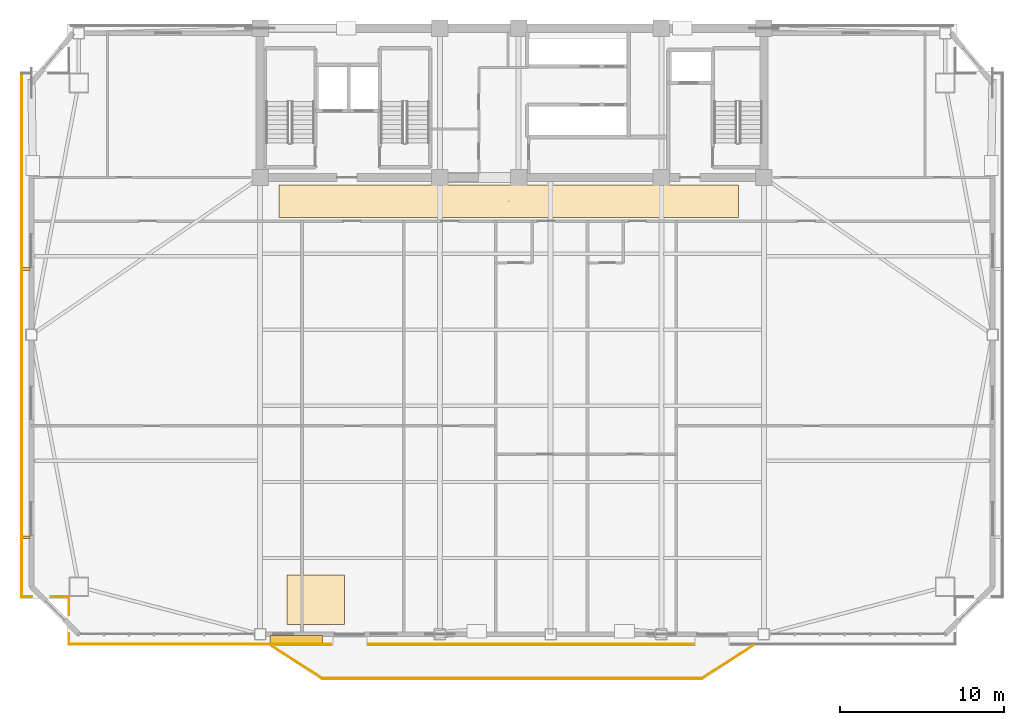
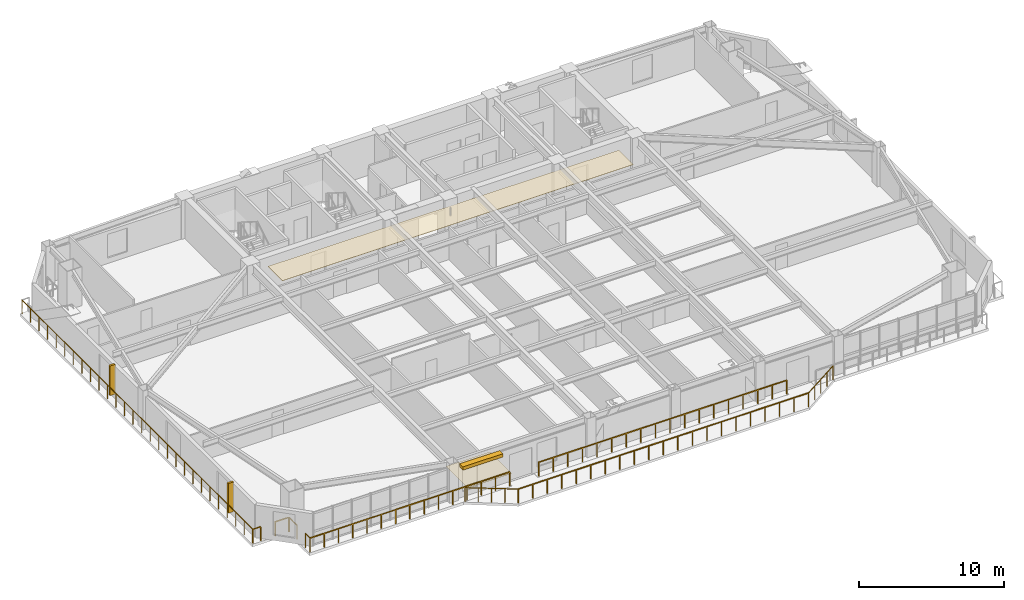
# One storey, part 12 of 15: 10 railings, 3 shading devices, 2 coverings.
"""IFC4 building model written with IfcOpenShell, lengths in metres."""

from ifc_helpers import new_model, si_unit, direction, frame, origin, origin_2d, place, context, subcontext, project, spatial, polyline, rectangle, outline, extrude, source, transform, mapped, material, layer, layer_set, type_object, element, save


model = new_model("IFC4")

# Units and contexts
model_context = context("Model", 3, precision=1e-05, world=origin(), true_north=direction((0.0, 1.0)))
body_context = subcontext(model_context, "Body", "Model", "MODEL_VIEW")
ifc_project = project(units=[si_unit("LENGTHUNIT", "METRE"), si_unit("AREAUNIT", "SQUARE_METRE"), si_unit("VOLUMEUNIT", "CUBIC_METRE"), si_unit("PLANEANGLEUNIT", "RADIAN"), si_unit("MASSUNIT", "GRAM", prefix="KILO")], contexts=[model_context])

# Site, building, storey
site_placement = place(None, origin())
site = spatial("IfcSite", under=ifc_project, at=site_placement, CompositionType="ELEMENT")
building_placement = place(site_placement, origin())
building = spatial("IfcBuilding", under=site, at=building_placement, Name="Giltprow Tower", CompositionType="ELEMENT")
storey_placement = place(building_placement, frame((0.0, 0.0, 170.199951171875)))
storey = spatial("IfcBuildingStorey", under=building, at=storey_placement, Name="L42", CompositionType="ELEMENT", Elevation=170.199951171875)

# Coverings
ifc_material_1 = material(Name="Painted gypsum board", Category="gypsum")
ifc_layer_1 = layer(ifc_material_1, 0.030029296875, Name="Painted gypsum board")
ifc_layer_set_1 = layer_set([ifc_layer_1], Name="Painted gypsum board")
covering_type_1 = type_object("IfcCoveringType", Name="COV-CLG-GYPSUM", PredefinedType="CEILING", material=ifc_layer_set_1)
covering_1_placement = place(storey_placement, frame((0.0, 0.0, 2.6201171875)))
element("IfcCovering", 1, at=covering_1_placement, inside=storey, type_object=covering_type_1, Name="L42 Hotel Corridor Gypsum Ceiling", PredefinedType="CEILING", context=body_context, shape_type="SweptSolid", body=[
    extrude(outline(polyline([(21.0, 35.0), (49.0, 35.0), (49.0, 37.0), (21.0, 37.0), (21.0, 35.0)])), origin(), (0.0, 0.0, 1.0), 0.030029296875),
])
ifc_material_2 = material(Name="Engineered oak", Category="wood")
ifc_layer_2 = layer(ifc_material_2, 0.02490234375, Name="Engineered oak")
ifc_layer_set_2 = layer_set([ifc_layer_2], Name="Engineered oak")
covering_type_2 = type_object("IfcCoveringType", Name="COV-FLR-TIMBER", PredefinedType="FLOORING", material=ifc_layer_set_2)
covering_2_placement = place(storey_placement, origin())
element("IfcCovering", 2, at=covering_2_placement, inside=storey, type_object=covering_type_2, Name="L42 Engineered Oak Guestroom Flooring", PredefinedType="FLOORING", context=body_context, shape_type="SweptSolid", body=[
    extrude(outline(polyline([(21.5, 10.22607421875), (25.0, 10.22607421875), (25.0, 13.22607421875), (21.5, 13.22607421875), (21.5, 10.22607421875)])), origin(), (0.0, 0.0, 1.0), 0.025146484375),
])

# Railings
ifc_material_3 = material(Name="Anodized bronze", Category="metal")
railing_type = type_object("IfcRailingType", Name="RAIL-BALC-GUARD-1200", PredefinedType="BALUSTRADE", material=ifc_material_3)
railing_1_placement = place(storey_placement, frame((20.52001953125, 8.926025390625, 0.0)))
element("IfcRailing", 3, at=railing_1_placement, inside=storey, type_object=railing_type, Name="L42 Waterfront Balcony Balustrade Seg 1", PredefinedType="BALUSTRADE", context=body_context, shape_type="SweptSolid", body=[
    extrude(rectangle(XDim=0.048095703125, YDim=0.048095703125, at=origin_2d()), frame((0.0, 0.0, 1.17578125), z_axis=(0.84277487735, -0.538266203757, 0.0), x_axis=(0.538266203757, 0.84277487735, 0.0)), (0.0, 0.0, 1.0), 3.678466796875),
    extrude(rectangle(XDim=0.0419921875, YDim=0.0419921875, at=origin_2d()), origin(), (0.0, 0.0, 1.0), 1.15185546875),
    extrude(rectangle(XDim=0.0419921875, YDim=0.0419921875, at=origin_2d()), frame((0.77490234375, -0.4951171875, 0.0)), (0.0, 0.0, 1.0), 1.15185546875),
    extrude(rectangle(XDim=0.0419921875, YDim=0.0419921875, at=origin_2d()), frame((1.550048828125, -0.989990234375, 0.0)), (0.0, 0.0, 1.0), 1.15185546875),
    extrude(rectangle(XDim=0.0419921875, YDim=0.0419921875, at=origin_2d()), frame((2.3251953125, -1.48486328125, 0.0)), (0.0, 0.0, 1.0), 1.15185546875),
    extrude(rectangle(XDim=0.0419921875, YDim=0.0419921875, at=origin_2d()), frame((3.10009765625, -1.97998046875, 0.0)), (0.0, 0.0, 1.0), 1.15185546875),
])
railing_2_placement = place(storey_placement, frame((23.6201171875, 6.946044921875, 0.0)))
element("IfcRailing", 4, at=railing_2_placement, inside=storey, type_object=railing_type, Name="L42 Waterfront Balcony Balustrade Seg 2", PredefinedType="BALUSTRADE", context=body_context, shape_type="SweptSolid", body=[
    extrude(rectangle(XDim=0.048095703125, YDim=0.048095703125, at=origin_2d()), frame((0.0, 0.0, 1.17578125), z_axis=(1.0, 0.0, 0.0), x_axis=(0.0, 1.0, 0.0)), (0.0, 0.0, 1.0), 23.159912109375),
    extrude(rectangle(XDim=0.0419921875, YDim=0.0419921875, at=origin_2d()), origin(), (0.0, 0.0, 1.0), 1.15185546875),
    extrude(rectangle(XDim=0.0419921875, YDim=0.0419921875, at=origin_2d()), frame((1.157958984375, 0.0, 0.0)), (0.0, 0.0, 1.0), 1.15185546875),
    extrude(rectangle(XDim=0.0419921875, YDim=0.0419921875, at=origin_2d()), frame((2.31591796875, 0.0, 0.0)), (0.0, 0.0, 1.0), 1.15185546875),
    extrude(rectangle(XDim=0.0419921875, YDim=0.0419921875, at=origin_2d()), frame((3.473876953125, 0.0, 0.0)), (0.0, 0.0, 1.0), 1.15185546875),
    extrude(rectangle(XDim=0.0419921875, YDim=0.0419921875, at=origin_2d()), frame((4.632080078125, 0.0, 0.0)), (0.0, 0.0, 1.0), 1.15185546875),
    extrude(rectangle(XDim=0.0419921875, YDim=0.0419921875, at=origin_2d()), frame((5.7900390625, 0.0, 0.0)), (0.0, 0.0, 1.0), 1.15185546875),
    extrude(rectangle(XDim=0.0419921875, YDim=0.0419921875, at=origin_2d()), frame((6.947998046875, 0.0, 0.0)), (0.0, 0.0, 1.0), 1.15185546875),
    extrude(rectangle(XDim=0.0419921875, YDim=0.0419921875, at=origin_2d()), frame((8.10595703125, 0.0, 0.0)), (0.0, 0.0, 1.0), 1.15185546875),
    extrude(rectangle(XDim=0.0419921875, YDim=0.0419921875, at=origin_2d()), frame((9.263916015625, 0.0, 0.0)), (0.0, 0.0, 1.0), 1.15185546875),
    extrude(rectangle(XDim=0.0419921875, YDim=0.0419921875, at=origin_2d()), frame((10.421875, 0.0, 0.0)), (0.0, 0.0, 1.0), 1.15185546875),
    extrude(rectangle(XDim=0.0419921875, YDim=0.0419921875, at=origin_2d()), frame((11.580078125, 0.0, 0.0)), (0.0, 0.0, 1.0), 1.15185546875),
    extrude(rectangle(XDim=0.0419921875, YDim=0.0419921875, at=origin_2d()), frame((12.738037109375, 0.0, 0.0)), (0.0, 0.0, 1.0), 1.15185546875),
    extrude(rectangle(XDim=0.0419921875, YDim=0.0419921875, at=origin_2d()), frame((13.89599609375, 0.0, 0.0)), (0.0, 0.0, 1.0), 1.15185546875),
    extrude(rectangle(XDim=0.0419921875, YDim=0.0419921875, at=origin_2d()), frame((15.053955078125, 0.0, 0.0)), (0.0, 0.0, 1.0), 1.15185546875),
    extrude(rectangle(XDim=0.0419921875, YDim=0.0419921875, at=origin_2d()), frame((16.2119140625, 0.0, 0.0)), (0.0, 0.0, 1.0), 1.15185546875),
    extrude(rectangle(XDim=0.0419921875, YDim=0.0419921875, at=origin_2d()), frame((17.369873046875, 0.0, 0.0)), (0.0, 0.0, 1.0), 1.15185546875),
    extrude(rectangle(XDim=0.0419921875, YDim=0.0419921875, at=origin_2d()), frame((18.52783203125, 0.0, 0.0)), (0.0, 0.0, 1.0), 1.15185546875),
    extrude(rectangle(XDim=0.0419921875, YDim=0.0419921875, at=origin_2d()), frame((19.68603515625, 0.0, 0.0)), (0.0, 0.0, 1.0), 1.15185546875),
    extrude(rectangle(XDim=0.0419921875, YDim=0.0419921875, at=origin_2d()), frame((20.843994140625, 0.0, 0.0)), (0.0, 0.0, 1.0), 1.15185546875),
    extrude(rectangle(XDim=0.0419921875, YDim=0.0419921875, at=origin_2d()), frame((22.001953125, 0.0, 0.0)), (0.0, 0.0, 1.0), 1.15185546875),
    extrude(rectangle(XDim=0.0419921875, YDim=0.0419921875, at=origin_2d()), frame((23.159912109375, 0.0, 0.0)), (0.0, 0.0, 1.0), 1.15185546875),
])
railing_3_placement = place(storey_placement, frame((46.780029296875, 6.946044921875, 0.0)))
element("IfcRailing", 5, at=railing_3_placement, inside=storey, type_object=railing_type, Name="L42 Waterfront Balcony Balustrade Seg 3", PredefinedType="BALUSTRADE", context=body_context, shape_type="SweptSolid", body=[
    extrude(rectangle(XDim=0.048095703125, YDim=0.048095703125, at=origin_2d()), frame((0.0, 0.0, 1.17578125), z_axis=(0.842755646126, 0.538296313309, 0.0), x_axis=(-0.538296313309, 0.842755646126, 0.0)), (0.0, 0.0, 1.0), 3.67822265625),
    extrude(rectangle(XDim=0.0419921875, YDim=0.0419921875, at=origin_2d()), origin(), (0.0, 0.0, 1.0), 1.15185546875),
    extrude(rectangle(XDim=0.0419921875, YDim=0.0419921875, at=origin_2d()), frame((0.77490234375, 0.4951171875, 0.0)), (0.0, 0.0, 1.0), 1.15185546875),
    extrude(rectangle(XDim=0.0419921875, YDim=0.0419921875, at=origin_2d()), frame((1.5498046875, 0.989990234375, 0.0)), (0.0, 0.0, 1.0), 1.15185546875),
    extrude(rectangle(XDim=0.0419921875, YDim=0.0419921875, at=origin_2d()), frame((2.324951171875, 1.48486328125, 0.0)), (0.0, 0.0, 1.0), 1.15185546875),
    extrude(rectangle(XDim=0.0419921875, YDim=0.0419921875, at=origin_2d()), frame((3.099853515625, 1.97998046875, 0.0)), (0.0, 0.0, 1.0), 1.15185546875),
])
railing_4_placement = place(storey_placement, frame((8.2060546875, 9.02587890625, 0.0)))
element("IfcRailing", 6, at=railing_4_placement, inside=storey, type_object=railing_type, Name="L42 Corner Apron Edge Balustrade 1", PredefinedType="BALUSTRADE", context=body_context, shape_type="SweptSolid", body=[
    extrude(rectangle(XDim=0.048095703125, YDim=0.048095703125, at=origin_2d()), frame((0.0, 0.0, 1.17578125), z_axis=(0.0, 1.0, 0.0), x_axis=(-1.0, 0.0, 0.0)), (0.0, 0.0, 1.0), 0.6201171875),
    extrude(rectangle(XDim=0.0419921875, YDim=0.0419921875, at=origin_2d()), origin(), (0.0, 0.0, 1.0), 1.15185546875),
    extrude(rectangle(XDim=0.0419921875, YDim=0.0419921875, at=origin_2d()), frame((0.0, 0.6201171875, 0.0)), (0.0, 0.0, 1.0), 1.15185546875),
])
railing_5_placement = place(storey_placement, frame((8.2060546875, 10.805908203125, 0.0)))
element("IfcRailing", 7, at=railing_5_placement, inside=storey, type_object=railing_type, Name="L42 Corner Apron Edge Balustrade 2", PredefinedType="BALUSTRADE", context=body_context, shape_type="SweptSolid", body=[
    extrude(rectangle(XDim=0.048095703125, YDim=0.048095703125, at=origin_2d()), frame((0.0, 0.0, 1.17578125), z_axis=(0.0, 1.0, 0.0), x_axis=(-1.0, 0.0, 0.0)), (0.0, 0.0, 1.0), 1.072021484375),
    extrude(rectangle(XDim=0.0419921875, YDim=0.0419921875, at=origin_2d()), origin(), (0.0, 0.0, 1.0), 1.15185546875),
    extrude(rectangle(XDim=0.0419921875, YDim=0.0419921875, at=origin_2d()), frame((0.0, 1.072021484375, 0.0)), (0.0, 0.0, 1.0), 1.15185546875),
])
railing_6_placement = place(storey_placement, frame((8.1708984375, 11.9130859375, 0.0)))
element("IfcRailing", 8, at=railing_6_placement, inside=storey, type_object=railing_type, Name="L42 Corner Apron Edge Balustrade 3", PredefinedType="BALUSTRADE", context=body_context, shape_type="SweptSolid", body=[
    extrude(rectangle(XDim=0.048095703125, YDim=0.048095703125, at=origin_2d()), frame((0.0, 0.0, 1.17578125), z_axis=(-1.0, 0.0, 0.0), x_axis=(0.0, -1.0, 0.0)), (0.0, 0.0, 1.0), 1.07177734375),
    extrude(rectangle(XDim=0.0419921875, YDim=0.0419921875, at=origin_2d()), origin(), (0.0, 0.0, 1.0), 1.15185546875),
    extrude(rectangle(XDim=0.0419921875, YDim=0.0419921875, at=origin_2d()), frame((-1.07177734375, 0.0, 0.0)), (0.0, 0.0, 1.0), 1.15185546875),
])
railing_7_placement = place(storey_placement, frame((5.93896484375, 11.9130859375, 0.0)))
element("IfcRailing", 9, at=railing_7_placement, inside=storey, type_object=railing_type, Name="L42 Corner Apron Edge Balustrade 4", PredefinedType="BALUSTRADE", context=body_context, shape_type="SweptSolid", body=[
    extrude(rectangle(XDim=0.048095703125, YDim=0.048095703125, at=origin_2d()), frame((0.0, 0.0, 1.17578125), z_axis=(-1.0, 0.0, 0.0), x_axis=(0.0, -1.0, 0.0)), (0.0, 0.0, 1.0), 0.619873046875),
    extrude(rectangle(XDim=0.0419921875, YDim=0.0419921875, at=origin_2d()), origin(), (0.0, 0.0, 1.0), 1.15185546875),
    extrude(rectangle(XDim=0.0419921875, YDim=0.0419921875, at=origin_2d()), frame((-0.619873046875, 0.0, 0.0)), (0.0, 0.0, 1.0), 1.15185546875),
])
railing_8_placement = place(storey_placement, frame((5.319091796875, 11.9130859375, 0.0)))
element("IfcRailing", 10, at=railing_8_placement, inside=storey, type_object=railing_type, Name="L42 Corner Apron Edge Balustrade 5", PredefinedType="BALUSTRADE", context=body_context, shape_type="SweptSolid", body=[
    extrude(rectangle(XDim=0.048095703125, YDim=0.048095703125, at=origin_2d()), frame((0.0, 0.0, 1.17578125), z_axis=(0.0, 1.0, 0.0), x_axis=(-1.0, 0.0, 0.0)), (0.0, 0.0, 1.0), 31.89990234375),
    extrude(rectangle(XDim=0.0419921875, YDim=0.0419921875, at=origin_2d()), origin(), (0.0, 0.0, 1.0), 1.15185546875),
    extrude(rectangle(XDim=0.0419921875, YDim=0.0419921875, at=origin_2d()), frame((0.0, 1.181396484375, 0.0)), (0.0, 0.0, 1.0), 1.15185546875),
    extrude(rectangle(XDim=0.0419921875, YDim=0.0419921875, at=origin_2d()), frame((0.0, 2.363037109375, 0.0)), (0.0, 0.0, 1.0), 1.15185546875),
    extrude(rectangle(XDim=0.0419921875, YDim=0.0419921875, at=origin_2d()), frame((0.0, 3.54443359375, 0.0)), (0.0, 0.0, 1.0), 1.15185546875),
    extrude(rectangle(XDim=0.0419921875, YDim=0.0419921875, at=origin_2d()), frame((0.0, 4.725830078125, 0.0)), (0.0, 0.0, 1.0), 1.15185546875),
    extrude(rectangle(XDim=0.0419921875, YDim=0.0419921875, at=origin_2d()), frame((0.0, 5.907470703125, 0.0)), (0.0, 0.0, 1.0), 1.15185546875),
    extrude(rectangle(XDim=0.0419921875, YDim=0.0419921875, at=origin_2d()), frame((0.0, 7.0888671875, 0.0)), (0.0, 0.0, 1.0), 1.15185546875),
    extrude(rectangle(XDim=0.0419921875, YDim=0.0419921875, at=origin_2d()), frame((0.0, 8.270263671875, 0.0)), (0.0, 0.0, 1.0), 1.15185546875),
    extrude(rectangle(XDim=0.0419921875, YDim=0.0419921875, at=origin_2d()), frame((0.0, 9.451904296875, 0.0)), (0.0, 0.0, 1.0), 1.15185546875),
    extrude(rectangle(XDim=0.0419921875, YDim=0.0419921875, at=origin_2d()), frame((0.0, 10.63330078125, 0.0)), (0.0, 0.0, 1.0), 1.15185546875),
    extrude(rectangle(XDim=0.0419921875, YDim=0.0419921875, at=origin_2d()), frame((0.0, 11.814697265625, 0.0)), (0.0, 0.0, 1.0), 1.15185546875),
    extrude(rectangle(XDim=0.0419921875, YDim=0.0419921875, at=origin_2d()), frame((0.0, 12.996337890625, 0.0)), (0.0, 0.0, 1.0), 1.15185546875),
    extrude(rectangle(XDim=0.0419921875, YDim=0.0419921875, at=origin_2d()), frame((0.0, 14.177734375, 0.0)), (0.0, 0.0, 1.0), 1.15185546875),
    extrude(rectangle(XDim=0.0419921875, YDim=0.0419921875, at=origin_2d()), frame((0.0, 15.359130859375, 0.0)), (0.0, 0.0, 1.0), 1.15185546875),
    extrude(rectangle(XDim=0.0419921875, YDim=0.0419921875, at=origin_2d()), frame((0.0, 16.540771484375, 0.0)), (0.0, 0.0, 1.0), 1.15185546875),
    extrude(rectangle(XDim=0.0419921875, YDim=0.0419921875, at=origin_2d()), frame((0.0, 17.72216796875, 0.0)), (0.0, 0.0, 1.0), 1.15185546875),
    extrude(rectangle(XDim=0.0419921875, YDim=0.0419921875, at=origin_2d()), frame((0.0, 18.903564453125, 0.0)), (0.0, 0.0, 1.0), 1.15185546875),
    extrude(rectangle(XDim=0.0419921875, YDim=0.0419921875, at=origin_2d()), frame((0.0, 20.085205078125, 0.0)), (0.0, 0.0, 1.0), 1.15185546875),
    extrude(rectangle(XDim=0.0419921875, YDim=0.0419921875, at=origin_2d()), frame((0.0, 21.2666015625, 0.0)), (0.0, 0.0, 1.0), 1.15185546875),
    extrude(rectangle(XDim=0.0419921875, YDim=0.0419921875, at=origin_2d()), frame((0.0, 22.447998046875, 0.0)), (0.0, 0.0, 1.0), 1.15185546875),
    extrude(rectangle(XDim=0.0419921875, YDim=0.0419921875, at=origin_2d()), frame((0.0, 23.629638671875, 0.0)), (0.0, 0.0, 1.0), 1.15185546875),
    extrude(rectangle(XDim=0.0419921875, YDim=0.0419921875, at=origin_2d()), frame((0.0, 24.81103515625, 0.0)), (0.0, 0.0, 1.0), 1.15185546875),
    extrude(rectangle(XDim=0.0419921875, YDim=0.0419921875, at=origin_2d()), frame((0.0, 25.992431640625, 0.0)), (0.0, 0.0, 1.0), 1.15185546875),
    extrude(rectangle(XDim=0.0419921875, YDim=0.0419921875, at=origin_2d()), frame((0.0, 27.174072265625, 0.0)), (0.0, 0.0, 1.0), 1.15185546875),
    extrude(rectangle(XDim=0.0419921875, YDim=0.0419921875, at=origin_2d()), frame((0.0, 28.35546875, 0.0)), (0.0, 0.0, 1.0), 1.15185546875),
    extrude(rectangle(XDim=0.0419921875, YDim=0.0419921875, at=origin_2d()), frame((0.0, 29.536865234375, 0.0)), (0.0, 0.0, 1.0), 1.15185546875),
    extrude(rectangle(XDim=0.0419921875, YDim=0.0419921875, at=origin_2d()), frame((0.0, 30.718505859375, 0.0)), (0.0, 0.0, 1.0), 1.15185546875),
    extrude(rectangle(XDim=0.0419921875, YDim=0.0419921875, at=origin_2d()), frame((0.0, 31.89990234375, 0.0)), (0.0, 0.0, 1.0), 1.15185546875),
])
railing_9_placement = place(storey_placement, frame((46.25, 9.02587890625, 0.0)))
element("IfcRailing", 11, at=railing_9_placement, inside=storey, type_object=railing_type, Name="L42 Corner Apron Edge Balustrade 20", PredefinedType="BALUSTRADE", context=body_context, shape_type="SweptSolid", body=[
    extrude(rectangle(XDim=0.048095703125, YDim=0.048095703125, at=origin_2d()), frame((0.0, 0.0, 1.17578125), z_axis=(-1.0, 0.0, 0.0), x_axis=(0.0, -1.0, 0.0)), (0.0, 0.0, 1.0), 19.800048828125),
    extrude(rectangle(XDim=0.0419921875, YDim=0.0419921875, at=origin_2d()), origin(), (0.0, 0.0, 1.0), 1.15185546875),
    extrude(rectangle(XDim=0.0419921875, YDim=0.0419921875, at=origin_2d()), frame((-1.164794921875, 0.0, 0.0)), (0.0, 0.0, 1.0), 1.15185546875),
    extrude(rectangle(XDim=0.0419921875, YDim=0.0419921875, at=origin_2d()), frame((-2.329345703125, 0.0, 0.0)), (0.0, 0.0, 1.0), 1.15185546875),
    extrude(rectangle(XDim=0.0419921875, YDim=0.0419921875, at=origin_2d()), frame((-3.494140625, 0.0, 0.0)), (0.0, 0.0, 1.0), 1.15185546875),
    extrude(rectangle(XDim=0.0419921875, YDim=0.0419921875, at=origin_2d()), frame((-4.658935546875, 0.0, 0.0)), (0.0, 0.0, 1.0), 1.15185546875),
    extrude(rectangle(XDim=0.0419921875, YDim=0.0419921875, at=origin_2d()), frame((-5.823486328125, 0.0, 0.0)), (0.0, 0.0, 1.0), 1.15185546875),
    extrude(rectangle(XDim=0.0419921875, YDim=0.0419921875, at=origin_2d()), frame((-6.98828125, 0.0, 0.0)), (0.0, 0.0, 1.0), 1.15185546875),
    extrude(rectangle(XDim=0.0419921875, YDim=0.0419921875, at=origin_2d()), frame((-8.153076171875, 0.0, 0.0)), (0.0, 0.0, 1.0), 1.15185546875),
    extrude(rectangle(XDim=0.0419921875, YDim=0.0419921875, at=origin_2d()), frame((-9.317626953125, 0.0, 0.0)), (0.0, 0.0, 1.0), 1.15185546875),
    extrude(rectangle(XDim=0.0419921875, YDim=0.0419921875, at=origin_2d()), frame((-10.482421875, 0.0, 0.0)), (0.0, 0.0, 1.0), 1.15185546875),
    extrude(rectangle(XDim=0.0419921875, YDim=0.0419921875, at=origin_2d()), frame((-11.64697265625, 0.0, 0.0)), (0.0, 0.0, 1.0), 1.15185546875),
    extrude(rectangle(XDim=0.0419921875, YDim=0.0419921875, at=origin_2d()), frame((-12.811767578125, 0.0, 0.0)), (0.0, 0.0, 1.0), 1.15185546875),
    extrude(rectangle(XDim=0.0419921875, YDim=0.0419921875, at=origin_2d()), frame((-13.9765625, 0.0, 0.0)), (0.0, 0.0, 1.0), 1.15185546875),
    extrude(rectangle(XDim=0.0419921875, YDim=0.0419921875, at=origin_2d()), frame((-15.14111328125, 0.0, 0.0)), (0.0, 0.0, 1.0), 1.15185546875),
    extrude(rectangle(XDim=0.0419921875, YDim=0.0419921875, at=origin_2d()), frame((-16.305908203125, 0.0, 0.0)), (0.0, 0.0, 1.0), 1.15185546875),
    extrude(rectangle(XDim=0.0419921875, YDim=0.0419921875, at=origin_2d()), frame((-17.470703125, 0.0, 0.0)), (0.0, 0.0, 1.0), 1.15185546875),
    extrude(rectangle(XDim=0.0419921875, YDim=0.0419921875, at=origin_2d()), frame((-18.63525390625, 0.0, 0.0)), (0.0, 0.0, 1.0), 1.15185546875),
    extrude(rectangle(XDim=0.0419921875, YDim=0.0419921875, at=origin_2d()), frame((-19.800048828125, 0.0, 0.0)), (0.0, 0.0, 1.0), 1.15185546875),
])
railing_10_placement = place(storey_placement, frame((24.14990234375, 9.02587890625, 0.0)))
element("IfcRailing", 12, at=railing_10_placement, inside=storey, type_object=railing_type, Name="L42 Corner Apron Edge Balustrade 21", PredefinedType="BALUSTRADE", context=body_context, shape_type="SweptSolid", body=[
    extrude(rectangle(XDim=0.048095703125, YDim=0.048095703125, at=origin_2d()), frame((0.0, 0.0, 1.17578125), z_axis=(-1.0, 0.0, 0.0), x_axis=(0.0, -1.0, 0.0)), (0.0, 0.0, 1.0), 15.94384765625),
    extrude(rectangle(XDim=0.0419921875, YDim=0.0419921875, at=origin_2d()), origin(), (0.0, 0.0, 1.0), 1.15185546875),
    extrude(rectangle(XDim=0.0419921875, YDim=0.0419921875, at=origin_2d()), frame((-1.138916015625, 0.0, 0.0)), (0.0, 0.0, 1.0), 1.15185546875),
    extrude(rectangle(XDim=0.0419921875, YDim=0.0419921875, at=origin_2d()), frame((-2.277587890625, 0.0, 0.0)), (0.0, 0.0, 1.0), 1.15185546875),
    extrude(rectangle(XDim=0.0419921875, YDim=0.0419921875, at=origin_2d()), frame((-3.41650390625, 0.0, 0.0)), (0.0, 0.0, 1.0), 1.15185546875),
    extrude(rectangle(XDim=0.0419921875, YDim=0.0419921875, at=origin_2d()), frame((-4.555419921875, 0.0, 0.0)), (0.0, 0.0, 1.0), 1.15185546875),
    extrude(rectangle(XDim=0.0419921875, YDim=0.0419921875, at=origin_2d()), frame((-5.6943359375, 0.0, 0.0)), (0.0, 0.0, 1.0), 1.15185546875),
    extrude(rectangle(XDim=0.0419921875, YDim=0.0419921875, at=origin_2d()), frame((-6.8330078125, 0.0, 0.0)), (0.0, 0.0, 1.0), 1.15185546875),
    extrude(rectangle(XDim=0.0419921875, YDim=0.0419921875, at=origin_2d()), frame((-7.971923828125, 0.0, 0.0)), (0.0, 0.0, 1.0), 1.15185546875),
    extrude(rectangle(XDim=0.0419921875, YDim=0.0419921875, at=origin_2d()), frame((-9.11083984375, 0.0, 0.0)), (0.0, 0.0, 1.0), 1.15185546875),
    extrude(rectangle(XDim=0.0419921875, YDim=0.0419921875, at=origin_2d()), frame((-10.24951171875, 0.0, 0.0)), (0.0, 0.0, 1.0), 1.15185546875),
    extrude(rectangle(XDim=0.0419921875, YDim=0.0419921875, at=origin_2d()), frame((-11.388427734375, 0.0, 0.0)), (0.0, 0.0, 1.0), 1.15185546875),
    extrude(rectangle(XDim=0.0419921875, YDim=0.0419921875, at=origin_2d()), frame((-12.52734375, 0.0, 0.0)), (0.0, 0.0, 1.0), 1.15185546875),
    extrude(rectangle(XDim=0.0419921875, YDim=0.0419921875, at=origin_2d()), frame((-13.666259765625, 0.0, 0.0)), (0.0, 0.0, 1.0), 1.15185546875),
    extrude(rectangle(XDim=0.0419921875, YDim=0.0419921875, at=origin_2d()), frame((-14.804931640625, 0.0, 0.0)), (0.0, 0.0, 1.0), 1.15185546875),
    extrude(rectangle(XDim=0.0419921875, YDim=0.0419921875, at=origin_2d()), frame((-15.94384765625, 0.0, 0.0)), (0.0, 0.0, 1.0), 1.15185546875),
])

# Shading devices
shading_device_type_1 = type_object("IfcShadingDeviceType", Name="SHD-FIN-420", PredefinedType="USERDEFINED", material=ifc_material_3)
shared_shape_1 = source(origin(), body_context, "Body", "SweptSolid", [
    extrude(rectangle(XDim=0.419921875, YDim=0.159912109375, at=origin_2d()), origin(), (0.0, 0.0, 1.0), 2.5),
])
for number, where, z_axis, x_axis, name in (
    (13, (5.618896484375, 15.532958984375, 0.35009765625), (0.0, 0.0, 1.0), (1.0, 0.0, 0.0), "L42 W Bronze Vertical Fin 1-1"),
    (14, (5.618896484375, 31.8779296875, 0.35009765625), (0.0, 0.0, 1.0), (1.0, 0.0, 0.0), "L42 W Bronze Vertical Fin 2-1"),
):
    element("IfcShadingDevice", number, at=place(storey_placement, frame(where, z_axis=z_axis, x_axis=x_axis)), inside=storey, type_object=shading_device_type_1, Name=name, ObjectType="FIN", PredefinedType="USERDEFINED", context=body_context, shape_type="MappedRepresentation", body=[
        mapped(shared_shape_1, transform((0.0, 0.0, 0.0), x_axis=(1.0, 0.0, 0.0), y_axis=(0.0, 1.0, 0.0), z_axis=(0.0, 0.0, 1.0), scale=1.0)),
    ])
shading_device_type_2 = type_object("IfcShadingDeviceType", Name="SHD-LOUVRE-320", PredefinedType="JALOUSIE", material=ifc_material_3)
shared_shape_2 = source(origin(), body_context, "Body", "SweptSolid", [
    extrude(rectangle(XDim=3.199951171875, YDim=0.449951171875, at=origin_2d()), origin(), (0.0, 0.0, 1.0), 0.280029296875),
])
shading_device_placement = place(storey_placement, frame((22.050048828125, 9.325927734375, 2.56005859375), z_axis=(0.0, 0.0, 1.0), x_axis=(1.0, 0.0, 0.0)))
element("IfcShadingDevice", 15, at=shading_device_placement, inside=storey, type_object=shading_device_type_2, Name="L42 Bronze Sunshade Louvre S-2", PredefinedType="JALOUSIE", context=body_context, shape_type="MappedRepresentation", body=[
    mapped(shared_shape_2, transform((0.0, 0.0, 0.0), x_axis=(1.0, 0.0, 0.0), y_axis=(0.0, 1.0, 0.0), z_axis=(0.0, 0.0, 1.0), scale=1.0)),
])

save(model, "model.ifc")
